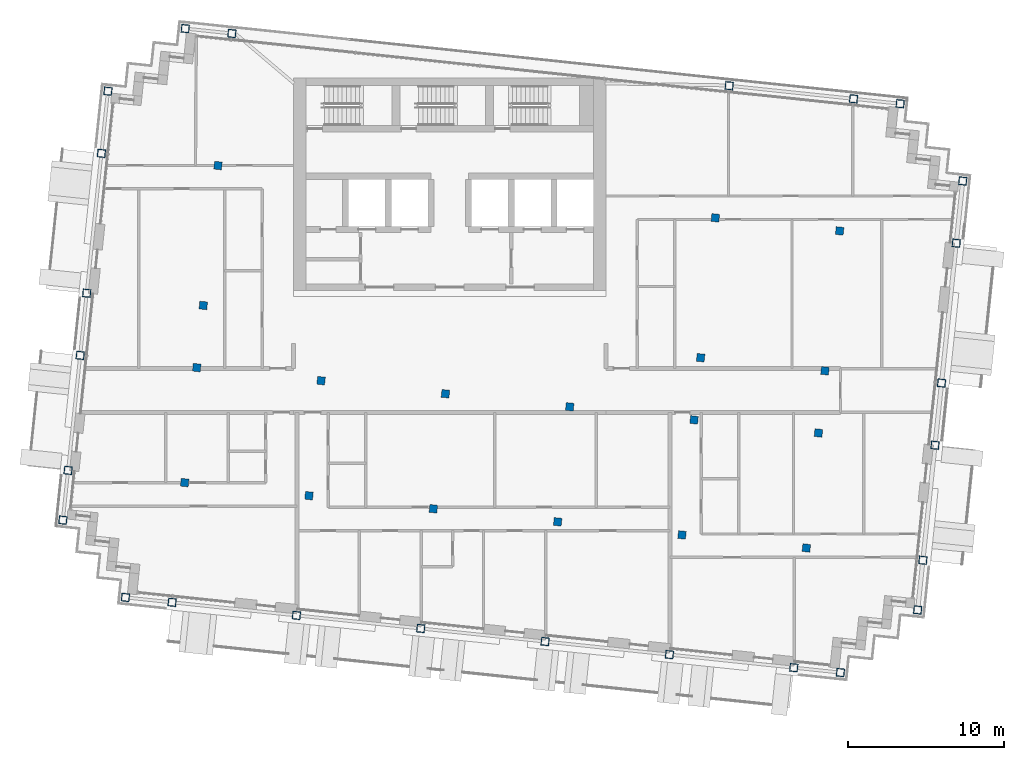
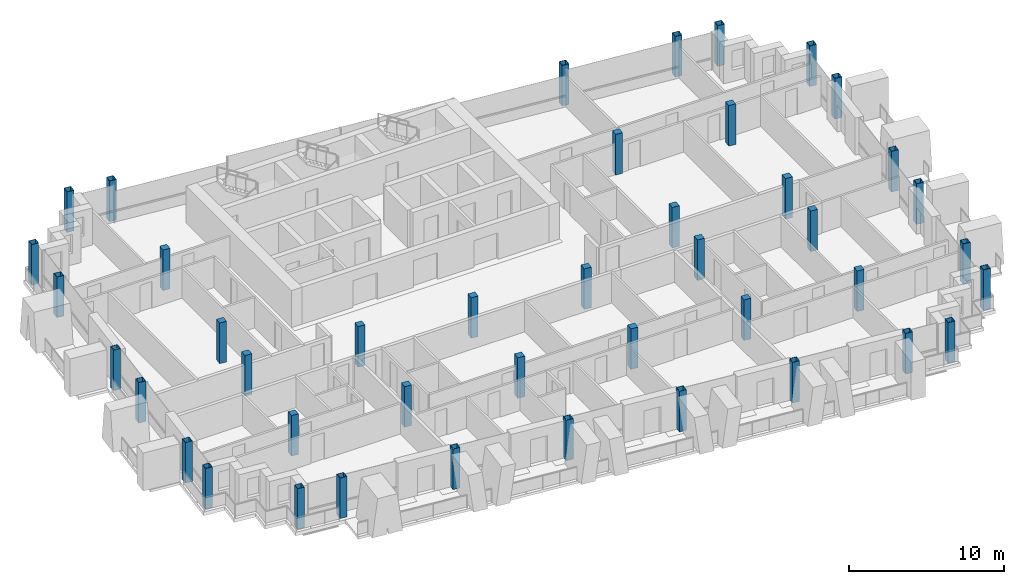
# One storey, part 1 of 16: 43 columns.
"""IFC4 building model written with IfcOpenShell, lengths in metres."""

from ifc_helpers import new_model, si_unit, direction, frame, origin, origin_2d, place, context, subcontext, project, spatial, rectangle, hollow_rectangle, extrude, material, material_profile, profile_set, type_object, element, save


model = new_model("IFC4")

# Units and contexts
model_context = context("Model", 3, precision=1e-05, world=origin(), true_north=direction((0.0, 1.0)))
body_context = subcontext(model_context, "Body", "Model", "MODEL_VIEW")
ifc_project = project(units=[si_unit("LENGTHUNIT", "METRE"), si_unit("AREAUNIT", "SQUARE_METRE"), si_unit("VOLUMEUNIT", "CUBIC_METRE"), si_unit("PLANEANGLEUNIT", "RADIAN"), si_unit("MASSUNIT", "GRAM", prefix="KILO")], contexts=[model_context])

# Site, building, storey
site_placement = place(None, origin())
site = spatial("IfcSite", under=ifc_project, at=site_placement, CompositionType="ELEMENT")
building_placement = place(site_placement, origin())
building = spatial("IfcBuilding", under=site, at=building_placement, Name="Vidyagriha Tower", CompositionType="ELEMENT")
storey_placement = place(building_placement, frame((0.0, 0.0, 259.5)))
storey = spatial("IfcBuildingStorey", under=building, at=storey_placement, Name="L67", CompositionType="ELEMENT", Elevation=259.5)

# Columns
ifc_material_1 = material(Name="Steel ASTM A572 Grade 50", Category="steel")
ifc_material_profile_1 = material_profile(ifc_material_1, hollow_rectangle(XDim=0.5, YDim=0.5, WallThickness=0.02490234375, at=origin_2d()), Name="BOX 500x500x25")
ifc_profile_set_1 = profile_set([ifc_material_profile_1], Name="Steel ASTM A572 Grade 50")
column_type_1 = type_object("IfcColumnType", Name="Exoskeleton column BOX 500x500x25", PredefinedType="COLUMN", material=ifc_profile_set_1)
for number, where, z_axis, x_axis, name in (
    (1, (-20.751953125, -13.24267578125, 0.0), (0.0, 0.0, 1.0), (0.994521895368, -0.104528463268, 0.0), "st-col-L67-B6-001"),
    (2, (-17.768310546875, -13.55615234375, 0.0), (0.0, 0.0, 1.0), (0.994521895368, -0.104528463268, 0.0), "st-col-L67-B6-002"),
    (3, (-9.812255859375, -14.392333984375, 0.0), (0.0, 0.0, 1.0), (0.994521895368, -0.104528463268, 0.0), "st-col-L67-B6-003"),
    (4, (-1.856201171875, -15.228515625, 0.0), (0.0, 0.0, 1.0), (0.994521895368, -0.104528463268, 0.0), "st-col-L67-B6-004"),
    (5, (6.10009765625, -16.06494140625, 0.0), (0.0, 0.0, 1.0), (0.994521895368, -0.104528463268, 0.0), "st-col-L67-B6-005"),
    (6, (14.056396484375, -16.901123046875, 0.0), (0.0, 0.0, 1.0), (0.994521895368, -0.104528463268, 0.0), "st-col-L67-B6-006"),
    (7, (22.012451171875, -17.7373046875, 0.0), (0.0, 0.0, 1.0), (0.994521895368, -0.104528463268, 0.0), "st-col-L67-B6-007"),
    (8, (24.99609375, -18.05078125, 0.0), (0.0, 0.0, 1.0), (0.994521895368, -0.104528463268, 0.0), "st-col-L67-B6-008"),
    (9, (-24.757080078125, -8.296875, 0.0), (0.0, 0.0, 1.0), (0.994521895368, -0.104528463268, 0.0), "st-col-L67-B6-009"),
    (10, (29.941650390625, -14.0458984375, 0.0), (0.0, 0.0, 1.0), (0.994521895368, -0.104528463268, 0.0), "st-col-L67-B6-010"),
    (11, (-24.422607421875, -5.114501953125, 0.0), (0.0, 0.0, 1.0), (0.994521895368, -0.104528463268, 0.0), "st-col-L67-B6-011"),
    (12, (30.276123046875, -10.863525390625, 0.0), (0.0, 0.0, 1.0), (0.994521895368, -0.104528463268, 0.0), "st-col-L67-B6-018"),
    (13, (-23.64892578125, 2.2451171875, 0.0), (0.0, 0.0, 1.0), (0.994521895368, -0.104528463268, 0.0), "st-col-L67-B6-019"),
    (14, (31.0498046875, -3.50390625, 0.0), (0.0, 0.0, 1.0), (0.994521895368, -0.104528463268, 0.0), "st-col-L67-B6-026"),
    (15, (-23.23095703125, 6.22314453125, 0.0), (0.0, 0.0, 1.0), (0.994521895368, -0.104528463268, 0.0), "st-col-L67-B6-027"),
    (16, (31.4677734375, 0.47412109375, 0.0), (0.0, 0.0, 1.0), (0.994521895368, -0.104528463268, 0.0), "st-col-L67-B6-031"),
    (17, (-22.2900390625, 15.173828125, 0.0), (0.0, 0.0, 1.0), (0.994521895368, -0.104528463268, 0.0), "st-col-L67-B6-032"),
    (18, (32.40869140625, 9.4248046875, 0.0), (0.0, 0.0, 1.0), (0.994521895368, -0.104528463268, 0.0), "st-col-L67-B6-036"),
    (19, (-21.8720703125, 19.15185546875, 0.0), (0.0, 0.0, 1.0), (0.994521895368, -0.104528463268, 0.0), "st-col-L67-B6-037"),
    (20, (32.82666015625, 13.40283203125, 0.0), (0.0, 0.0, 1.0), (0.994521895368, -0.104528463268, 0.0), "st-col-L67-B6-038"),
    (21, (-16.92626953125, 23.156982421875, 0.0), (0.0, 0.0, 1.0), (0.994521895368, -0.104528463268, 0.0), "st-col-L67-B6-039"),
    (22, (-13.942626953125, 22.84326171875, 0.0), (0.0, 0.0, 1.0), (0.994521895368, -0.104528463268, 0.0), "st-col-L67-B6-040"),
    (23, (17.882080078125, 19.498291015625, 0.0), (0.0, 0.0, 1.0), (0.994521895368, -0.104528463268, 0.0), "st-col-L67-B6-041"),
    (24, (25.838134765625, 18.662109375, 0.0), (0.0, 0.0, 1.0), (0.994521895368, -0.104528463268, 0.0), "st-col-L67-B6-042"),
    (25, (28.82177734375, 18.3486328125, 0.0), (0.0, 0.0, 1.0), (0.994521895368, -0.104528463268, 0.0), "st-col-L67-B6-043"),
):
    element("IfcColumn", number, at=place(storey_placement, frame(where, z_axis=z_axis, x_axis=x_axis)), inside=storey, type_object=column_type_1, Name=name, PredefinedType="COLUMN", context=body_context, shape_type="SweptSolid", body=[
        extrude(hollow_rectangle(XDim=0.5, YDim=0.5, WallThickness=0.02490234375, at=origin_2d()), origin(), (0.0, 0.0, 1.0), 3.199951171875),
    ])
ifc_material_2 = material(Name="Concrete C60/75", Category="concrete")
ifc_material_profile_2 = material_profile(ifc_material_2, rectangle(XDim=0.5, YDim=0.5, at=origin_2d()), Name="RC 500x500")
ifc_profile_set_2 = profile_set([ifc_material_profile_2], Name="Concrete C60/75")
column_type_2 = type_object("IfcColumnType", Name="Frame column RC 500x500", PredefinedType="COLUMN", material=ifc_profile_set_2)
for number, where, z_axis, x_axis, name in (
    (26, (-16.963623046875, -5.8984375, 0.0), (0.0, 0.0, 1.0), (0.994521895368, -0.104528463268, 0.0), "st-col-L67-B6-012"),
    (27, (-9.00732421875, -6.734619140625, 0.0), (0.0, 0.0, 1.0), (0.994521895368, -0.104528463268, 0.0), "st-col-L67-B6-013"),
    (28, (-1.05126953125, -7.57080078125, 0.0), (0.0, 0.0, 1.0), (0.994521895368, -0.104528463268, 0.0), "st-col-L67-B6-014"),
    (29, (6.905029296875, -8.406982421875, 0.0), (0.0, 0.0, 1.0), (0.994521895368, -0.104528463268, 0.0), "st-col-L67-B6-015"),
    (30, (14.861083984375, -9.243408203125, 0.0), (0.0, 0.0, 1.0), (0.994521895368, -0.104528463268, 0.0), "st-col-L67-B6-016"),
    (31, (22.8173828125, -10.07958984375, 0.0), (0.0, 0.0, 1.0), (0.994521895368, -0.104528463268, 0.0), "st-col-L67-B6-017"),
    (32, (-16.190185546875, 1.461181640625, 0.0), (0.0, 0.0, 1.0), (0.994521895368, -0.104528463268, 0.0), "st-col-L67-B6-020"),
    (33, (-8.23388671875, 0.625, 0.0), (0.0, 0.0, 1.0), (0.994521895368, -0.104528463268, 0.0), "st-col-L67-B6-021"),
    (34, (-0.277587890625, -0.21142578125, 0.0), (0.0, 0.0, 1.0), (0.994521895368, -0.104528463268, 0.0), "st-col-L67-B6-022"),
    (35, (7.678466796875, -1.047607421875, 0.0), (0.0, 0.0, 1.0), (0.994521895368, -0.104528463268, 0.0), "st-col-L67-B6-023"),
    (36, (15.634521484375, -1.8837890625, 0.0), (0.0, 0.0, 1.0), (0.994521895368, -0.104528463268, 0.0), "st-col-L67-B6-024"),
    (37, (23.5908203125, -2.72021484375, 0.0), (0.0, 0.0, 1.0), (0.994521895368, -0.104528463268, 0.0), "st-col-L67-B6-025"),
    (38, (-15.77197265625, 5.439208984375, 0.0), (0.0, 0.0, 1.0), (0.994521895368, -0.104528463268, 0.0), "st-col-L67-B6-028"),
    (39, (16.052734375, 2.09423828125, 0.0), (0.0, 0.0, 1.0), (0.994521895368, -0.104528463268, 0.0), "st-col-L67-B6-029"),
    (40, (24.0087890625, 1.258056640625, 0.0), (0.0, 0.0, 1.0), (0.994521895368, -0.104528463268, 0.0), "st-col-L67-B6-030"),
    (41, (-14.831298828125, 14.389892578125, 0.0), (0.0, 0.0, 1.0), (0.994521895368, -0.104528463268, 0.0), "st-col-L67-B6-033"),
    (42, (16.993408203125, 11.044921875, 0.0), (0.0, 0.0, 1.0), (0.994521895368, -0.104528463268, 0.0), "st-col-L67-B6-034"),
    (43, (24.94970703125, 10.208740234375, 0.0), (0.0, 0.0, 1.0), (0.994521895368, -0.104528463268, 0.0), "st-col-L67-B6-035"),
):
    element("IfcColumn", number, at=place(storey_placement, frame(where, z_axis=z_axis, x_axis=x_axis)), inside=storey, type_object=column_type_2, Name=name, PredefinedType="COLUMN", context=body_context, shape_type="SweptSolid", body=[
        extrude(rectangle(XDim=0.5, YDim=0.5, at=origin_2d()), origin(), (0.0, 0.0, 1.0), 3.199951171875),
    ])

save(model, "model.ifc")
